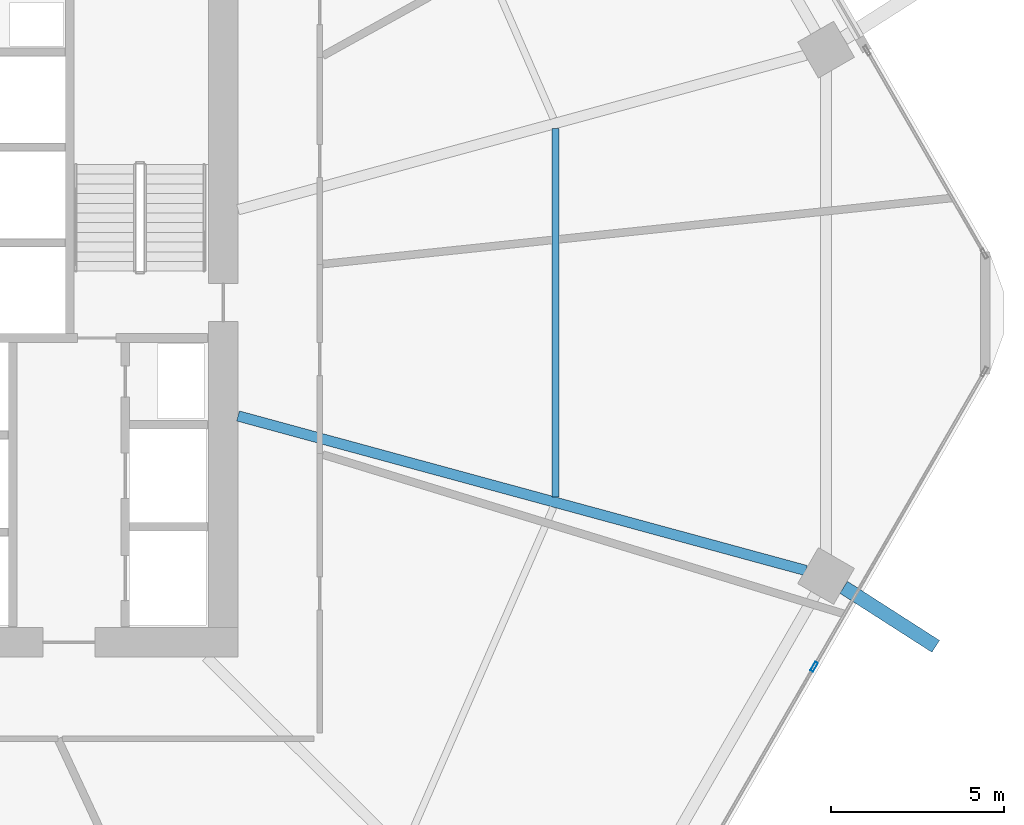
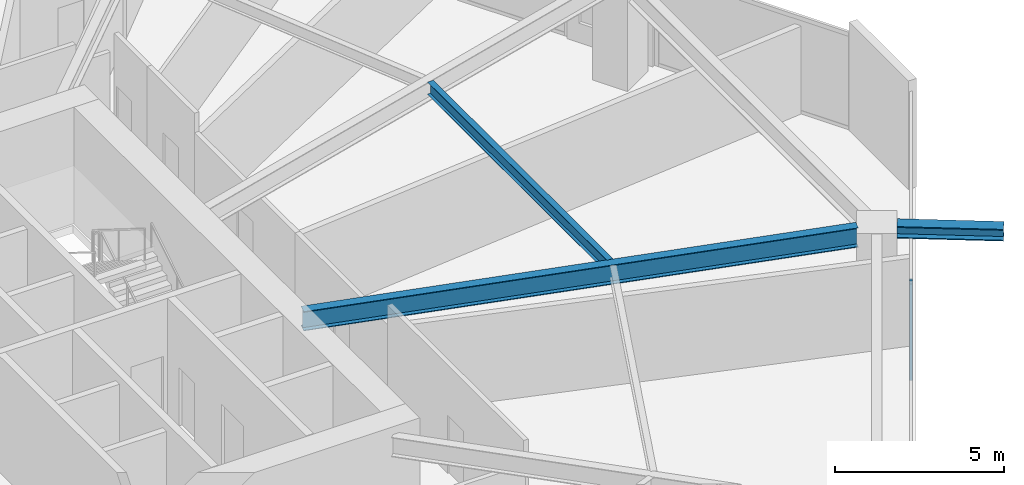
# One storey, part 11 of 25: 3 beams, 1 member, 1 element without a shape of its own.
"""IFC4 building model written with IfcOpenShell, lengths in metres."""

import ifcopenshell
import ifcopenshell.guid

model = None  # the IFC model being written
_history = None  # IfcOwnerHistory: only IFC2X3 demands one
_inside = {}  # id of a spatial element -> (the spatial element, [elements in it])
_under = {}  # id of a project, library or spatial element -> (it, [spatial elements below it])
_declared = {}  # id of a project -> (the project, [libraries it declares])
_typed = {}  # id of a type object -> (the type object, [elements of that type])
_made_of = {}  # id of a material, layer set ... -> (it, [elements and type objects made of it])


def new_model(schema):
    """Start an empty IFC model of exactly this schema.

    Asked for "IFC4X3", IfcOpenShell would pick the latest addendum, in which some entities
    have other attributes; the version numbers below select the first issue.
    IFC2X3 requires an IfcOwnerHistory on every rooted entity: one is made here for all.
    """
    global model, _history
    if schema == "IFC4X3":
        model = ifcopenshell.file(schema_version=(4, 3, 0, 0))
    else:
        model = ifcopenshell.file(schema=schema)
    _inside.clear()
    _under.clear()
    _declared.clear()
    _typed.clear()
    _made_of.clear()
    _history = None
    if model.schema == "IFC2X3":
        org = make("IfcOrganization", Name="unknown")
        user = make(
            "IfcPersonAndOrganization",
            ThePerson=make("IfcPerson", FamilyName="unknown"),
            TheOrganization=org,
        )
        app = make(
            "IfcApplication",
            ApplicationDeveloper=org,
            Version="unknown",
            ApplicationFullName="unknown",
            ApplicationIdentifier="unknown",
        )
        _history = make(
            "IfcOwnerHistory",
            OwningUser=user,
            OwningApplication=app,
            ChangeAction="ADDED",
            CreationDate=0,
        )
    return model


def make(cls, **values):
    """One entity of the class cls with the attributes given. An attribute that is None is left unset."""
    return model.create_entity(
        cls, **{name: value for name, value in values.items() if value is not None}
    )


def rooted(cls, **values):
    """An entity with a GlobalId (a new one), such as an element, a storey or a relation."""
    return make(cls, GlobalId=ifcopenshell.guid.new(), OwnerHistory=_history, **values)


def si_unit(unit_type, name, prefix=None):
    """IfcSIUnit, for example si_unit("LENGTHUNIT", "METRE", prefix="MILLI")."""
    return make("IfcSIUnit", UnitType=unit_type, Prefix=prefix, Name=name)


def assignment(units):
    """IfcUnitAssignment: the units of a project."""
    return None if units is None else make("IfcUnitAssignment", Units=units)


def point(xyz):
    """IfcCartesianPoint."""
    return None if xyz is None else make("IfcCartesianPoint", Coordinates=xyz)


def direction(xyz):
    """IfcDirection."""
    return None if xyz is None else make("IfcDirection", DirectionRatios=xyz)


def frame(location, z_axis=None, x_axis=None):
    """IfcAxis2Placement3D, a coordinate frame: its origin and axes. An axis left out is left unset."""
    return make(
        "IfcAxis2Placement3D",
        Location=point(location),
        Axis=direction(z_axis),
        RefDirection=direction(x_axis),
    )


def frame_2d(location, x_axis=None):
    """IfcAxis2Placement2D, a coordinate frame in the plane: its origin and x axis."""
    return make(
        "IfcAxis2Placement2D", Location=point(location), RefDirection=direction(x_axis)
    )


def origin():
    """The frame at (0, 0, 0) with its axes left unset."""
    return frame((0.0, 0.0, 0.0))


def origin_2d():
    """The frame at (0, 0) in the plane with its x axis left unset."""
    return frame_2d((0.0, 0.0))


def place(relative_to, where):
    """IfcLocalPlacement: puts the frame where relative to a parent placement (None: the world)."""
    return make(
        "IfcLocalPlacement", PlacementRelTo=relative_to, RelativePlacement=where
    )


def context(
    kind, dimensions, precision=None, world=None, true_north=None, identifier=None
):
    """IfcGeometricRepresentationContext, for example the 3D "Model" context."""
    return make(
        "IfcGeometricRepresentationContext",
        ContextIdentifier=identifier,
        ContextType=kind,
        CoordinateSpaceDimension=dimensions,
        Precision=precision,
        WorldCoordinateSystem=world,
        TrueNorth=true_north,
    )


def subcontext(parent, identifier, kind, view, scale=None):
    """IfcGeometricRepresentationSubContext, for example "Body" below "Model"."""
    return make(
        "IfcGeometricRepresentationSubContext",
        ContextIdentifier=identifier,
        ContextType=kind,
        ParentContext=parent,
        TargetScale=scale,
        TargetView=view,
    )


def project(units=None, contexts=None):
    """IfcProject with its units and contexts."""
    return rooted(
        "IfcProject",
        Name="project",
        RepresentationContexts=contexts,
        UnitsInContext=assignment(units),
    )


def spatial(cls, under=None, at=None, **own):
    """A site, building, storey or space (cls), placed at a placement, below another one or the project."""
    s = rooted(cls, ObjectPlacement=at, **own)
    if under is not None:
        _under.setdefault(under.id(), (under, []))[1].append(s)
    return s


def profile(cls, at=None, kind="AREA", **sizes):
    """A parametric profile (cls). Its sizes go by their IFC names, for example OverallWidth=200.0."""
    return make(cls, ProfileType=kind, Position=at, **sizes)


def hollow_rectangle(**sizes):
    """IfcRectangleHollowProfileDef."""
    return profile("IfcRectangleHollowProfileDef", **sizes)


def i_section(**sizes):
    """IfcIShapeProfileDef."""
    return profile("IfcIShapeProfileDef", **sizes)


def extrude(swept, where, along, depth):
    """IfcExtrudedAreaSolid: the profile swept, set in the frame where, extruded along a direction by depth."""
    return make(
        "IfcExtrudedAreaSolid",
        SweptArea=swept,
        Position=where,
        ExtrudedDirection=direction(along),
        Depth=depth,
    )


def shape(context_of_items, identifier, shape_type, items):
    """IfcShapeRepresentation: the items that make up one representation, for example the "Body"."""
    return make(
        "IfcShapeRepresentation",
        ContextOfItems=context_of_items,
        RepresentationIdentifier=identifier,
        RepresentationType=shape_type,
        Items=items,
    )


def material(Name=None, Category=None):
    """IfcMaterial."""
    return make("IfcMaterial", Name=Name, Category=Category)


def material_profile(
    of_material, cross_section, Name=None, Category=None, Priority=None
):
    """IfcMaterialProfile: a cross section and its material."""
    return make(
        "IfcMaterialProfile",
        Name=Name,
        Material=of_material,
        Profile=cross_section,
        Priority=Priority,
        Category=Category,
    )


def profile_set(profiles, Name=None, composite=None):
    """IfcMaterialProfileSet."""
    return make(
        "IfcMaterialProfileSet",
        Name=Name,
        MaterialProfiles=profiles,
        CompositeProfile=composite,
    )


def made_of(thing, what):
    """Note that an element or type object is made of a material, layer set ...; save() writes the relation."""
    if what is not None:
        _made_of.setdefault(what.id(), (what, []))[1].append(thing)
    return thing


def type_object(cls, material=None, **own):
    """A type object (cls), such as IfcWallType, which elements share."""
    return made_of(rooted(cls, **own), material)


def element(
    cls,
    number,
    at=None,
    inside=None,
    cuts=None,
    type_object=None,
    material=None,
    context=None,
    identifier="Body",
    shape_type=None,
    held_by="IfcProductDefinitionShape",
    body=None,
    shapes=None,
    **own,
):
    """One element of the class cls, such as IfcWall. Its Tag is "e" and its number.

    at: its placement. inside: the storey or other place that contains it. cuts: it is an
    opening in that element (IfcRelVoidsElement). A single representation is given by context,
    identifier, shape_type and body (its items); several are given by shapes. held_by: the class
    of the entity that holds the representations. save() writes the other relations.
    """
    e = rooted(cls, Tag="e%d" % number, ObjectPlacement=at, **own)
    if body is not None:
        shapes = [shape(context, identifier, shape_type, body)]
    if shapes is not None:
        e.Representation = make(held_by, Representations=shapes)
    if inside is not None:
        _inside.setdefault(inside.id(), (inside, []))[1].append(e)
    if cuts is not None:
        rooted(
            "IfcRelVoidsElement", RelatingBuildingElement=cuts, RelatedOpeningElement=e
        )
    if type_object is not None:
        _typed.setdefault(type_object.id(), (type_object, []))[1].append(e)
    return made_of(e, material)


def aggregate(whole, parts):
    """IfcRelAggregates: a whole, such as a stair, and the parts it consists of."""
    return rooted("IfcRelAggregates", RelatingObject=whole, RelatedObjects=parts)


def save(model, path):
    """Write the relations noted so far, then the file.

    IfcRelAggregates (storeys below a building ...), IfcRelContainedInSpatialStructure (elements
    in a storey), IfcRelDefinesByType, IfcRelAssociatesMaterial and IfcRelDeclares: one each for
    every whole, place, type object, material and project.
    """
    for whole, parts in _under.values():
        aggregate(whole, parts)
    for where, things in _inside.values():
        rooted(
            "IfcRelContainedInSpatialStructure",
            RelatedElements=things,
            RelatingStructure=where,
        )
    for kind, things in _typed.values():
        rooted("IfcRelDefinesByType", RelatedObjects=things, RelatingType=kind)
    for what, things in _made_of.values():
        rooted("IfcRelAssociatesMaterial", RelatedObjects=things, RelatingMaterial=what)
    for by, libraries in _declared.values():
        rooted("IfcRelDeclares", RelatingContext=by, RelatedDefinitions=libraries)
    model.write(path)


model = new_model("IFC4")

# Units and contexts
model_context = context("Model", 3, precision=1e-05, world=origin(), true_north=direction((0.0, 1.0)))
body_context = subcontext(model_context, "Body", "Model", "MODEL_VIEW")
ifc_project = project(units=[si_unit("LENGTHUNIT", "METRE"), si_unit("AREAUNIT", "SQUARE_METRE"), si_unit("VOLUMEUNIT", "CUBIC_METRE"), si_unit("PLANEANGLEUNIT", "RADIAN"), si_unit("MASSUNIT", "GRAM", prefix="KILO")], contexts=[model_context])

# Site, building, storey
site_placement = place(None, origin())
site = spatial("IfcSite", under=ifc_project, at=site_placement, CompositionType="ELEMENT")
building_placement = place(site_placement, origin())
building = spatial("IfcBuilding", under=site, at=building_placement, Name="Zuhravey Tower", CompositionType="ELEMENT")
storey_placement = place(building_placement, frame((0.0, 0.0, 62.39990234375)))
storey = spatial("IfcBuildingStorey", under=building, at=storey_placement, Name="L15", CompositionType="ELEMENT", Elevation=62.39990234375)

# Curtain wall, member
ifc_material_1 = material(Name="Thermally broken anodised aluminium", Category="aluminium")
curtain_wall_type = type_object("IfcCurtainWallType", Name="School Low-E Unitised Curtain Wall CW1", PredefinedType="NOTDEFINED", material=ifc_material_1)
curtain_wall_placement = place(storey_placement, origin())
curtain_wall = element("IfcCurtainWall", 1, at=curtain_wall_placement, inside=storey, type_object=curtain_wall_type, Name="L15 CW1 CW-L15-F6-1", PredefinedType="NOTDEFINED")
ifc_material_2 = material(Name="Anodised aluminium", Category="aluminium")
ifc_material_profile_1 = material_profile(ifc_material_2, hollow_rectangle(XDim=0.090087890625, YDim=0.284912109375, WallThickness=0.0048828125, at=origin_2d()), Name="ALU-RHS-90x285x5")
ifc_profile_set_1 = profile_set([ifc_material_profile_1], Name="Anodised aluminium")
member_type = type_object("IfcMemberType", Name="Curtain-Wall Mullion 90x180", PredefinedType="MULLION", material=ifc_profile_set_1)
member_placement = place(storey_placement, frame((63.54541015625, 21.79296875, 0.0), z_axis=(0.0, 0.0, 1.0), x_axis=(0.86602552265, -0.499999794119, 0.0)))
member = element("IfcMember", 2, at=member_placement, type_object=member_type, Name="CW1 mullion 2", PredefinedType="MULLION", context=body_context, shape_type="SweptSolid", body=[
    extrude(hollow_rectangle(XDim=0.090087890625, YDim=0.284912109375, WallThickness=0.0048828125, at=origin_2d()), origin(), (0.0, 0.0, 1.0), 3.4921875),
])
aggregate(curtain_wall, [member])

# Beams
ifc_material_3 = material(Name="Steel SM460", Category="steel")
ifc_material_profile_2 = material_profile(ifc_material_3, i_section(OverallWidth=0.406982421875, OverallDepth=0.427978515625, WebThickness=0.02001953125, FlangeThickness=0.034912109375, at=origin_2d()), Name="H-428x407x20x35")
ifc_profile_set_2 = profile_set([ifc_material_profile_2], Name="Steel SM460")
beam_type_1 = type_object("IfcBeamType", Name="Exoskeleton Node Tie Beam H428x407", PredefinedType="BEAM", material=ifc_profile_set_2)
beam_1_placement = place(storey_placement, frame((64.39794921875, 24.08203125, 3.7060546875), z_axis=(0.841731244747, -0.539896760147, 0.0), x_axis=(0.539896760147, 0.841731244747, 0.0)))
element("IfcBeam", 3, at=beam_1_placement, inside=storey, type_object=beam_type_1, Name="L15 Exoskeleton Node Tie NT1-12", PredefinedType="BEAM", context=body_context, shape_type="SweptSolid", body=[
    extrude(i_section(OverallWidth=0.406982421875, OverallDepth=0.427978515625, WebThickness=0.02001953125, FlangeThickness=0.034912109375, at=origin_2d()), origin(), (0.0, 0.0, 1.0), 3.154541015625),
])
ifc_material_4 = material(Name="Steel SM355", Category="steel")
ifc_material_profile_3 = material_profile(ifc_material_4, i_section(OverallWidth=0.300048828125, OverallDepth=0.699951171875, WebThickness=0.012939453125, FlangeThickness=0.02392578125, at=origin_2d()), Name="H-700x300x13x24")
ifc_profile_set_3 = profile_set([ifc_material_profile_3], Name="Steel SM355")
beam_type_2 = type_object("IfcBeamType", Name="Radial Primary Girder H700x300", PredefinedType="BEAM", material=ifc_profile_set_3)
beam_2_placement = place(storey_placement, frame((46.927978515625, 29.025390625, 3.570068359375), z_axis=(0.964892480455, -0.26264520015, 0.0), x_axis=(0.26264520015, 0.964892480455, 0.0)))
element("IfcBeam", 4, at=beam_2_placement, inside=storey, type_object=beam_type_2, Name="L15 RG1 BM-L15-RAD-12", PredefinedType="BEAM", context=body_context, shape_type="SweptSolid", body=[
    extrude(i_section(OverallWidth=0.300048828125, OverallDepth=0.699951171875, WebThickness=0.012939453125, FlangeThickness=0.02392578125, at=origin_2d()), origin(), (0.0, 0.0, 1.0), 16.975341796875),
])
ifc_material_profile_4 = material_profile(ifc_material_4, i_section(OverallWidth=0.199951171875, OverallDepth=0.449951171875, WebThickness=0.009033203125, FlangeThickness=0.013916015625, at=origin_2d()), Name="H-450x200x9x14")
ifc_profile_set_4 = profile_set([ifc_material_profile_4], Name="Steel SM355")
beam_type_3 = type_object("IfcBeamType", Name="Secondary Floor Joist H450x200", PredefinedType="JOIST", material=ifc_profile_set_4)
beam_3_placement = place(storey_placement, frame((56.0869140625, 26.686279296875, 3.695068359375), z_axis=(0.0, 1.0, 0.0), x_axis=(-1.0, 0.0, 0.0)))
element("IfcBeam", 5, at=beam_3_placement, inside=storey, type_object=beam_type_3, Name="L15 SJ1 BM-L15-SJ-12-1", PredefinedType="JOIST", context=body_context, shape_type="SweptSolid", body=[
    extrude(i_section(OverallWidth=0.199951171875, OverallDepth=0.449951171875, WebThickness=0.009033203125, FlangeThickness=0.013916015625, at=origin_2d()), origin(), (0.0, 0.0, 1.0), 10.62744140625),
])

save(model, "model.ifc")
